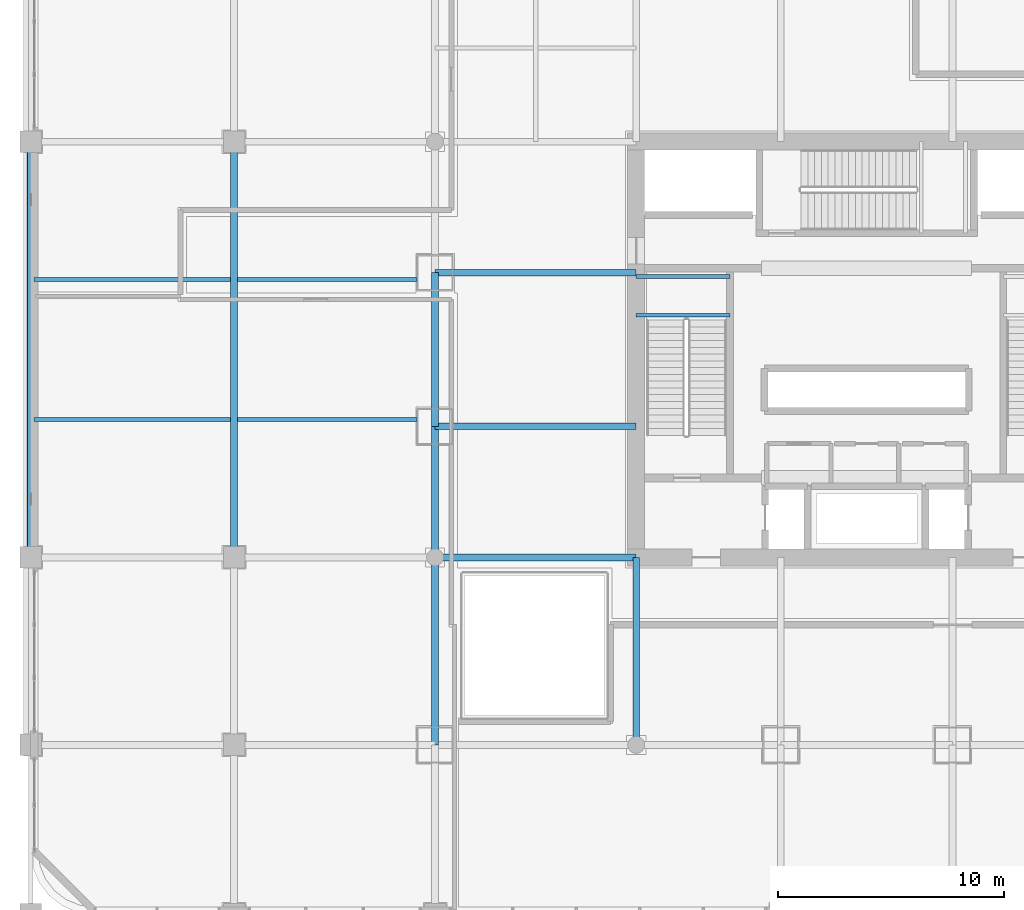
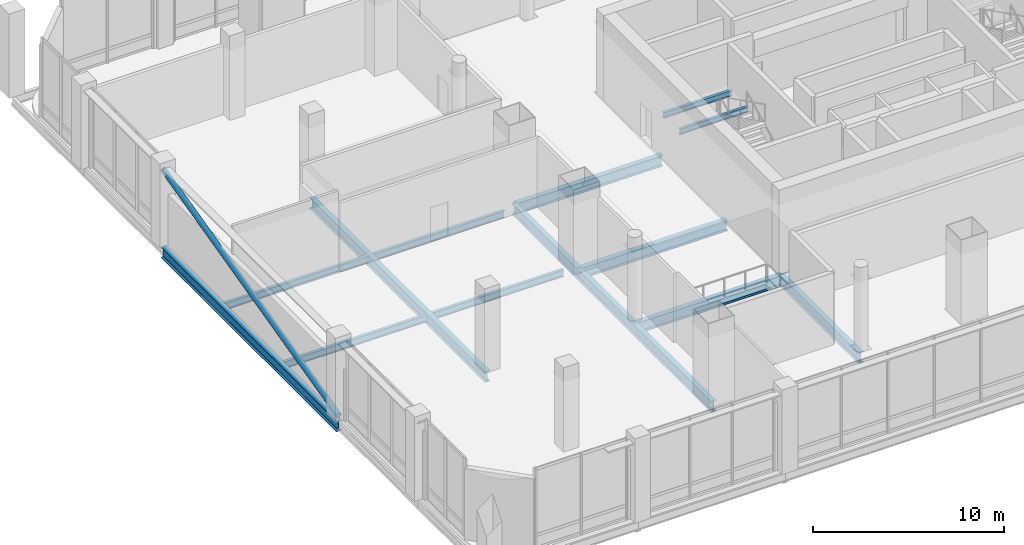
# One storey, part 5 of 39: 14 beams, 1 member.
"""IFC4 building model written with IfcOpenShell, lengths in metres."""

from ifc_helpers import new_model, si_unit, direction, frame, origin, origin_2d, place, context, subcontext, project, spatial, hollow_circle, i_section, extrude, material, material_profile, profile_set, type_object, element, save


model = new_model("IFC4")

# Units and contexts
model_context = context("Model", 3, precision=1e-05, world=origin(), true_north=direction((0.0, 1.0)))
body_context = subcontext(model_context, "Body", "Model", "MODEL_VIEW")
ifc_project = project(units=[si_unit("LENGTHUNIT", "METRE"), si_unit("AREAUNIT", "SQUARE_METRE"), si_unit("VOLUMEUNIT", "CUBIC_METRE"), si_unit("PLANEANGLEUNIT", "RADIAN"), si_unit("MASSUNIT", "GRAM", prefix="KILO")], contexts=[model_context])

# Site, building, storey
site_placement = place(None, origin())
site = spatial("IfcSite", under=ifc_project, at=site_placement, CompositionType="ELEMENT")
building_placement = place(site_placement, origin())
building = spatial("IfcBuilding", under=site, at=building_placement, Name="Punatoya Terracotta Tower", CompositionType="ELEMENT")
storey_placement = place(building_placement, frame((0.0, 0.0, 11.39990234375)))
storey = spatial("IfcBuildingStorey", under=building, at=storey_placement, Name="L02", CompositionType="ELEMENT", Elevation=11.39990234375)

# Beams
ifc_material = material(Name="Steel S355", Category="steel")
ifc_material_profile_1 = material_profile(ifc_material, i_section(OverallWidth=0.300048828125, OverallDepth=0.699951171875, WebThickness=0.01708984375, FlangeThickness=0.031982421875, FilletRadius=0.01806640625, at=origin_2d()))
ifc_profile_set_1 = profile_set([ifc_material_profile_1], Name="Steel S355")
beam_type_1 = type_object("IfcBeamType", Name="BM-PRI-700", PredefinedType="BEAM", material=ifc_profile_set_1)
beam_1_placement = place(storey_placement, frame((-19.10009765625, -17.5, -0.6298828125), z_axis=(0.0, 1.0, 0.0), x_axis=(-1.0, 0.0, 0.0)))
element("IfcBeam", 1, at=beam_1_placement, inside=storey, type_object=beam_type_1, Name="BM-L02-RG-W1", PredefinedType="BEAM", context=body_context, shape_type="SweptSolid", body=[
    extrude(i_section(OverallWidth=0.300048828125, OverallDepth=0.699951171875, WebThickness=0.01708984375, FlangeThickness=0.031982421875, FilletRadius=0.01806640625, at=origin_2d()), origin(), (0.0, 0.0, 1.0), 14.10009765625),
])
beam_2_placement = place(storey_placement, frame((-19.10009765625, -3.39990234375, -0.6298828125), z_axis=(0.0, 1.0, 0.0), x_axis=(-1.0, 0.0, 0.0)))
element("IfcBeam", 2, at=beam_2_placement, inside=storey, type_object=beam_type_1, Name="BM-L02-RG-W2", PredefinedType="BEAM", context=body_context, shape_type="SweptSolid", body=[
    extrude(i_section(OverallWidth=0.300048828125, OverallDepth=0.699951171875, WebThickness=0.01708984375, FlangeThickness=0.031982421875, FilletRadius=0.01806640625, at=origin_2d()), origin(), (0.0, 0.0, 1.0), 6.7998046875),
])
for number, where, z_axis, x_axis, name in (
    (3, (-19.10009765625, -9.199951171875, -0.6298828125), (1.0, 0.0, 0.0), (0.0, 1.0, 0.0), "BM-L02-PR-WS"),
    (4, (-19.10009765625, -3.39990234375, -0.6298828125), (1.0, 0.0, 0.0), (0.0, 1.0, 0.0), "BM-L02-PR-WD"),
    (5, (-19.10009765625, 3.39990234375, -0.6298828125), (1.0, 0.0, 0.0), (0.0, 1.0, 0.0), "BM-L02-PR-WE"),
):
    element("IfcBeam", number, at=place(storey_placement, frame(where, z_axis=z_axis, x_axis=x_axis)), inside=storey, type_object=beam_type_1, Name=name, PredefinedType="BEAM", context=body_context, shape_type="SweptSolid", body=[
        extrude(i_section(OverallWidth=0.300048828125, OverallDepth=0.699951171875, WebThickness=0.01708984375, FlangeThickness=0.031982421875, FilletRadius=0.01806640625, at=origin_2d()), origin(), (0.0, 0.0, 1.0), 8.900146484375),
    ])
beam_3_placement = place(storey_placement, frame((-10.199951171875, -17.5, -0.6298828125), z_axis=(0.0, 1.0, 0.0), x_axis=(-1.0, 0.0, 0.0)))
element("IfcBeam", 6, at=beam_3_placement, inside=storey, type_object=beam_type_1, Name="BM-L02-PR-S1", PredefinedType="BEAM", context=body_context, shape_type="SweptSolid", body=[
    extrude(i_section(OverallWidth=0.300048828125, OverallDepth=0.699951171875, WebThickness=0.01708984375, FlangeThickness=0.031982421875, FilletRadius=0.01806640625, at=origin_2d()), origin(), (0.0, 0.0, 1.0), 8.300048828125),
])
for number, where, z_axis, x_axis, name in (
    (7, (-37.0, -9.199951171875, -0.6298828125), (0.0, 1.0, 0.0), (-1.0, 0.0, 0.0), "BM-L02-X37W--9"),
    (8, (-28.0, -9.199951171875, -0.6298828125), (0.0, 1.0, 0.0), (-1.0, 0.0, 0.0), "BM-L02-X28W--9"),
):
    element("IfcBeam", number, at=place(storey_placement, frame(where, z_axis=z_axis, x_axis=x_axis)), inside=storey, type_object=beam_type_1, Name=name, PredefinedType="BEAM", context=body_context, shape_type="SweptSolid", body=[
        extrude(i_section(OverallWidth=0.300048828125, OverallDepth=0.699951171875, WebThickness=0.01708984375, FlangeThickness=0.031982421875, FilletRadius=0.01806640625, at=origin_2d()), origin(), (0.0, 0.0, 1.0), 18.39990234375),
    ])
ifc_material_profile_2 = material_profile(ifc_material, i_section(OverallWidth=0.169921875, OverallDepth=0.360107421875, WebThickness=0.008056640625, FlangeThickness=0.0126953125, FilletRadius=0.01806640625, at=origin_2d()))
ifc_profile_set_2 = profile_set([ifc_material_profile_2], Name="Steel S355")
beam_type_2 = type_object("IfcBeamType", Name="BM-SEC-360", PredefinedType="JOIST", material=ifc_profile_set_2)
for number, where, z_axis, x_axis, name in (
    (9, (-10.199951171875, 1.52001953125, 2.320068359375), (1.0, 0.0, 0.0), (0.0, 1.0, 0.0), "BM-L02-ST-1-LD1A"),
    (10, (-10.199951171875, 3.22998046875, 2.320068359375), (1.0, 0.0, 0.0), (0.0, 1.0, 0.0), "BM-L02-ST-1-LD1B"),
):
    element("IfcBeam", number, at=place(storey_placement, frame(where, z_axis=z_axis, x_axis=x_axis)), inside=storey, type_object=beam_type_2, Name=name, PredefinedType="JOIST", context=body_context, shape_type="SweptSolid", body=[
        extrude(i_section(OverallWidth=0.169921875, OverallDepth=0.360107421875, WebThickness=0.008056640625, FlangeThickness=0.0126953125, FilletRadius=0.01806640625, at=origin_2d()), origin(), (0.0, 0.0, 1.0), 4.14990234375),
    ])
ifc_material_profile_3 = material_profile(ifc_material, i_section(OverallWidth=0.18994140625, OverallDepth=0.449951171875, WebThickness=0.009521484375, FlangeThickness=0.0146484375, FilletRadius=0.01806640625, at=origin_2d()))
ifc_profile_set_3 = profile_set([ifc_material_profile_3], Name="Steel S355")
beam_type_3 = type_object("IfcBeamType", Name="BM-SEC-450", PredefinedType="JOIST", material=ifc_profile_set_3)
beam_4_placement = place(storey_placement, frame((-36.85009765625, -3.10009765625, -0.5048828125), z_axis=(1.0, 0.0, 0.0), x_axis=(0.0, 1.0, 0.0)))
element("IfcBeam", 11, at=beam_4_placement, inside=storey, type_object=beam_type_3, Name="BM-L02-WNGJ-W1--31", PredefinedType="JOIST", context=body_context, shape_type="SweptSolid", body=[
    extrude(i_section(OverallWidth=0.18994140625, OverallDepth=0.449951171875, WebThickness=0.009521484375, FlangeThickness=0.0146484375, FilletRadius=0.01806640625, at=origin_2d()), origin(), (0.0, 0.0, 1.0), 8.7001953125),
])
beam_5_placement = place(storey_placement, frame((-27.85009765625, -3.10009765625, -0.5048828125), z_axis=(1.0, 0.0, 0.0), x_axis=(0.0, 1.0, 0.0)))
element("IfcBeam", 12, at=beam_5_placement, inside=storey, type_object=beam_type_3, Name="BM-L02-WNGJ-W2--31", PredefinedType="JOIST", context=body_context, shape_type="SweptSolid", body=[
    extrude(i_section(OverallWidth=0.18994140625, OverallDepth=0.449951171875, WebThickness=0.009521484375, FlangeThickness=0.0146484375, FilletRadius=0.01806640625, at=origin_2d()), origin(), (0.0, 0.0, 1.0), 7.9501953125),
])
beam_6_placement = place(storey_placement, frame((-36.85009765625, 3.10009765625, -0.5048828125), z_axis=(1.0, 0.0, 0.0), x_axis=(0.0, 1.0, 0.0)))
element("IfcBeam", 13, at=beam_6_placement, inside=storey, type_object=beam_type_3, Name="BM-L02-WNGJ-W1-31", PredefinedType="JOIST", context=body_context, shape_type="SweptSolid", body=[
    extrude(i_section(OverallWidth=0.18994140625, OverallDepth=0.449951171875, WebThickness=0.009521484375, FlangeThickness=0.0146484375, FilletRadius=0.01806640625, at=origin_2d()), origin(), (0.0, 0.0, 1.0), 8.7001953125),
])
beam_7_placement = place(storey_placement, frame((-27.85009765625, 3.10009765625, -0.5048828125), z_axis=(1.0, 0.0, 0.0), x_axis=(0.0, 1.0, 0.0)))
element("IfcBeam", 14, at=beam_7_placement, inside=storey, type_object=beam_type_3, Name="BM-L02-WNGJ-W2-31", PredefinedType="JOIST", context=body_context, shape_type="SweptSolid", body=[
    extrude(i_section(OverallWidth=0.18994140625, OverallDepth=0.449951171875, WebThickness=0.009521484375, FlangeThickness=0.0146484375, FilletRadius=0.01806640625, at=origin_2d()), origin(), (0.0, 0.0, 1.0), 7.9501953125),
])

# Member
ifc_material_profile_4 = material_profile(ifc_material, hollow_circle(Radius=0.162109375, WallThickness=0.01611328125, at=origin_2d()))
ifc_profile_set_4 = profile_set([ifc_material_profile_4], Name="Steel S355")
member_type = type_object("IfcMemberType", Name="MEM-POD-CHS", PredefinedType="BRACE", material=ifc_profile_set_4)
member_placement = place(storey_placement, frame((-37.0, -9.199951171875, 0.02001953125), z_axis=(0.0, 0.970388907621, 0.241547858543), x_axis=(-1.0, 0.0, 0.0)))
element("IfcMember", 15, at=member_placement, inside=storey, type_object=member_type, Name="L02 Podium Lateral Brace PBR-1", PredefinedType="BRACE", context=body_context, shape_type="SweptSolid", body=[
    extrude(hollow_circle(Radius=0.162109375, WallThickness=0.01611328125, at=origin_2d()), origin(), (0.0, 0.0, 1.0), 18.96142578125),
])

save(model, "model.ifc")
